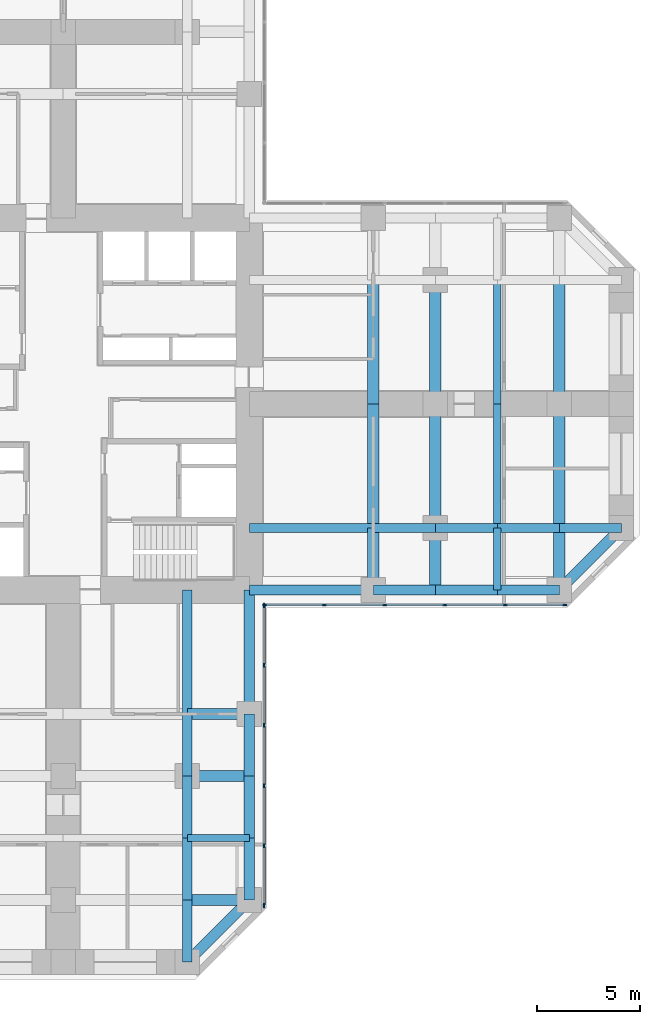
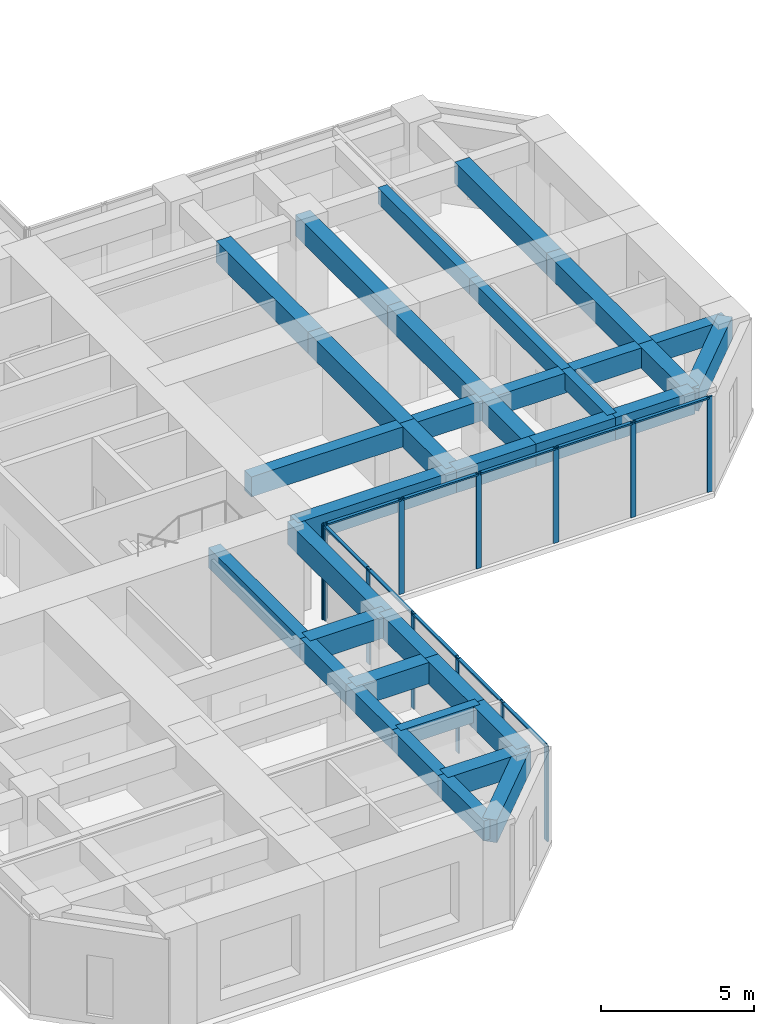
# One storey, part 4 of 13: 36 beams, 22 members, 2 elements without a shape of their own.
"""IFC4 building model written with IfcOpenShell, lengths in metres."""

from ifc_helpers import new_model, si_unit, direction, frame, origin, origin_2d, place, context, subcontext, project, spatial, rectangle, extrude, material, material_profile, profile_set, type_object, element, aggregate, save


model = new_model("IFC4")

# Units and contexts
model_context = context("Model", 3, precision=1e-05, world=origin(), true_north=direction((0.0, 1.0)))
body_context = subcontext(model_context, "Body", "Model", "MODEL_VIEW")
ifc_project = project(units=[si_unit("LENGTHUNIT", "METRE"), si_unit("AREAUNIT", "SQUARE_METRE"), si_unit("VOLUMEUNIT", "CUBIC_METRE"), si_unit("PLANEANGLEUNIT", "RADIAN"), si_unit("MASSUNIT", "GRAM", prefix="KILO")], contexts=[model_context])

# Site, building, storey
site_placement = place(None, origin())
site = spatial("IfcSite", under=ifc_project, at=site_placement, CompositionType="ELEMENT")
building_placement = place(site_placement, origin())
building = spatial("IfcBuilding", under=site, at=building_placement, Name="Torre Cruceta", CompositionType="ELEMENT")
storey_placement = place(building_placement, frame((0.0, 0.0, 51.5)))
storey = spatial("IfcBuildingStorey", under=building, at=storey_placement, Name="L12", CompositionType="ELEMENT", Elevation=51.5)

# Beams
ifc_material_1 = material(Name="Concrete G60 (fck 60 MPa)", Category="concrete")
ifc_material_profile_1 = material_profile(ifc_material_1, rectangle(XDim=0.449951171875, YDim=0.800048828125, at=origin_2d()), Name="RC 450X800")
ifc_profile_set_1 = profile_set([ifc_material_profile_1], Name="Concrete G60 (fck 60 MPa)")
beam_type_1 = type_object("IfcBeamType", Name="COLUMN LINE BEAM RC 450X800", PredefinedType="BEAM", material=ifc_profile_set_1)
beam_1_placement = place(storey_placement, frame((9.0, -6.0, 3.39990234375), z_axis=(1.0, 0.0, 0.0), x_axis=(0.0, 1.0, 0.0)))
element("IfcBeam", 1, at=beam_1_placement, inside=storey, type_object=beam_type_1, Name="LB1 L12 E col- 1", PredefinedType="BEAM", context=body_context, shape_type="SweptSolid", body=[
    extrude(rectangle(XDim=0.449951171875, YDim=0.800048828125, at=origin_2d()), origin(), (0.0, 0.0, 1.0), 6.0),
])
for number, where, z_axis, x_axis, name in (
    (2, (15.0, -6.0, 3.39990234375), (1.0, 0.0, 0.0), (0.0, 1.0, 0.0), "LB1 L12 E col- 2"),
    (3, (18.0, -6.0, 3.39990234375), (1.0, 0.0, 0.0), (0.0, 1.0, 0.0), "LB1 L12 E col- 3"),
    (4, (21.0, -6.0, 3.39990234375), (1.0, 0.0, 0.0), (0.0, 1.0, 0.0), "LB1 L12 E col- 4"),
    (5, (24.0, -6.0, 3.39990234375), (1.0, 0.0, 0.0), (0.0, 1.0, 0.0), "LB1 L12 E col- 5"),
):
    element("IfcBeam", number, at=place(storey_placement, frame(where, z_axis=z_axis, x_axis=x_axis)), inside=storey, type_object=beam_type_1, Name=name, PredefinedType="BEAM", context=body_context, shape_type="SweptSolid", body=[
        extrude(rectangle(XDim=0.449951171875, YDim=0.800048828125, at=origin_2d()), origin(), (0.0, 0.0, 1.0), 3.0),
    ])
beam_2_placement = place(storey_placement, frame((6.0, -9.0, 3.39990234375), z_axis=(0.0, -1.0, 0.0), x_axis=(1.0, 0.0, 0.0)))
element("IfcBeam", 6, at=beam_2_placement, inside=storey, type_object=beam_type_1, Name="LB1 L12 S col+ 1", PredefinedType="BEAM", context=body_context, shape_type="SweptSolid", body=[
    extrude(rectangle(XDim=0.449951171875, YDim=0.800048828125, at=origin_2d()), origin(), (0.0, 0.0, 1.0), 6.0),
])
for number, where, z_axis, x_axis, name in (
    (7, (6.0, -15.0, 3.39990234375), (0.0, -1.0, 0.0), (1.0, 0.0, 0.0), "LB1 L12 S col+ 2"),
    (8, (6.0, -18.0, 3.39990234375), (0.0, -1.0, 0.0), (1.0, 0.0, 0.0), "LB1 L12 S col+ 3"),
    (9, (6.0, -21.0, 3.39990234375), (0.0, -1.0, 0.0), (1.0, 0.0, 0.0), "LB1 L12 S col+ 4"),
    (10, (6.0, -24.0, 3.39990234375), (0.0, -1.0, 0.0), (1.0, 0.0, 0.0), "LB1 L12 S col+ 5"),
):
    element("IfcBeam", number, at=place(storey_placement, frame(where, z_axis=z_axis, x_axis=x_axis)), inside=storey, type_object=beam_type_1, Name=name, PredefinedType="BEAM", context=body_context, shape_type="SweptSolid", body=[
        extrude(rectangle(XDim=0.449951171875, YDim=0.800048828125, at=origin_2d()), origin(), (0.0, 0.0, 1.0), 3.0),
    ])
ifc_material_2 = material(Name="Concrete G60 (fck 60 MPa)", Category="concrete")
ifc_material_profile_2 = material_profile(ifc_material_2, rectangle(XDim=0.550048828125, YDim=0.85009765625, at=origin_2d()), Name="RC 550X850")
ifc_profile_set_2 = profile_set([ifc_material_profile_2], Name="Concrete G60 (fck 60 MPa)")
beam_type_2 = type_object("IfcBeamType", Name="CROSS BEAM RC 550X850", PredefinedType="BEAM", material=ifc_profile_set_2)
beam_3_placement = place(storey_placement, frame((15.0, -9.0, 3.375), z_axis=(0.0, 1.0, 0.0), x_axis=(-1.0, 0.0, 0.0)))
element("IfcBeam", 11, at=beam_3_placement, inside=storey, type_object=beam_type_2, Name="GB4 L12 E cross15 1", PredefinedType="BEAM", context=body_context, shape_type="SweptSolid", body=[
    extrude(rectangle(XDim=0.550048828125, YDim=0.85009765625, at=origin_2d()), origin(), (0.0, 0.0, 1.0), 3.0),
])
for number, where, z_axis, x_axis, name in (
    (12, (15.0, -6.0, 3.375), (0.0, 1.0, 0.0), (-1.0, 0.0, 0.0), "GB4 L12 E cross15 2"),
    (13, (15.0, 0.0, 3.375), (0.0, 1.0, 0.0), (-1.0, 0.0, 0.0), "GB4 L12 E cross15 3"),
):
    element("IfcBeam", number, at=place(storey_placement, frame(where, z_axis=z_axis, x_axis=x_axis)), inside=storey, type_object=beam_type_2, Name=name, PredefinedType="BEAM", context=body_context, shape_type="SweptSolid", body=[
        extrude(rectangle(XDim=0.550048828125, YDim=0.85009765625, at=origin_2d()), origin(), (0.0, 0.0, 1.0), 6.0),
    ])
beam_4_placement = place(storey_placement, frame((18.0, -9.0, 3.375), z_axis=(0.0, 1.0, 0.0), x_axis=(-1.0, 0.0, 0.0)))
element("IfcBeam", 14, at=beam_4_placement, inside=storey, type_object=beam_type_2, Name="GB4 L12 E cross18 1", PredefinedType="BEAM", context=body_context, shape_type="SweptSolid", body=[
    extrude(rectangle(XDim=0.550048828125, YDim=0.85009765625, at=origin_2d()), origin(), (0.0, 0.0, 1.0), 3.0),
])
for number, where, z_axis, x_axis, name in (
    (15, (18.0, -6.0, 3.375), (0.0, 1.0, 0.0), (-1.0, 0.0, 0.0), "GB4 L12 E cross18 2"),
    (16, (18.0, 0.0, 3.375), (0.0, 1.0, 0.0), (-1.0, 0.0, 0.0), "GB4 L12 E cross18 3"),
):
    element("IfcBeam", number, at=place(storey_placement, frame(where, z_axis=z_axis, x_axis=x_axis)), inside=storey, type_object=beam_type_2, Name=name, PredefinedType="BEAM", context=body_context, shape_type="SweptSolid", body=[
        extrude(rectangle(XDim=0.550048828125, YDim=0.85009765625, at=origin_2d()), origin(), (0.0, 0.0, 1.0), 6.0),
    ])
beam_5_placement = place(storey_placement, frame((24.0, -9.0, 3.375), z_axis=(0.0, 1.0, 0.0), x_axis=(-1.0, 0.0, 0.0)))
element("IfcBeam", 17, at=beam_5_placement, inside=storey, type_object=beam_type_2, Name="GB4 L12 E cross24 1", PredefinedType="BEAM", context=body_context, shape_type="SweptSolid", body=[
    extrude(rectangle(XDim=0.550048828125, YDim=0.85009765625, at=origin_2d()), origin(), (0.0, 0.0, 1.0), 3.0),
])
for number, where, z_axis, x_axis, name in (
    (18, (24.0, -6.0, 3.375), (0.0, 1.0, 0.0), (-1.0, 0.0, 0.0), "GB4 L12 E cross24 2"),
    (19, (24.0, 0.0, 3.375), (0.0, 1.0, 0.0), (-1.0, 0.0, 0.0), "GB4 L12 E cross24 3"),
):
    element("IfcBeam", number, at=place(storey_placement, frame(where, z_axis=z_axis, x_axis=x_axis)), inside=storey, type_object=beam_type_2, Name=name, PredefinedType="BEAM", context=body_context, shape_type="SweptSolid", body=[
        extrude(rectangle(XDim=0.550048828125, YDim=0.85009765625, at=origin_2d()), origin(), (0.0, 0.0, 1.0), 6.0),
    ])
for number, where, z_axis, x_axis, name in (
    (20, (6.0, -15.0, 3.375), (1.0, 0.0, 0.0), (0.0, 1.0, 0.0), "GB4 L12 S cross15 4"),
    (21, (6.0, -18.0, 3.375), (1.0, 0.0, 0.0), (0.0, 1.0, 0.0), "GB4 L12 S cross18 4"),
    (22, (6.0, -24.0, 3.375), (1.0, 0.0, 0.0), (0.0, 1.0, 0.0), "GB4 L12 S cross24 4"),
):
    element("IfcBeam", number, at=place(storey_placement, frame(where, z_axis=z_axis, x_axis=x_axis)), inside=storey, type_object=beam_type_2, Name=name, PredefinedType="BEAM", context=body_context, shape_type="SweptSolid", body=[
        extrude(rectangle(XDim=0.550048828125, YDim=0.85009765625, at=origin_2d()), origin(), (0.0, 0.0, 1.0), 3.0),
    ])

# Curtain wall, members
ifc_material_3 = material(Name="Aluminium unitised curtain wall", Category="aluminium")
curtain_wall_type = type_object("IfcCurtainWallType", Name="CURTAIN WALL CW-A OFFICE LOW RISE", PredefinedType="USERDEFINED", material=ifc_material_3)
curtain_wall_1_placement = place(storey_placement, origin())
curtain_wall_1 = element("IfcCurtainWall", 23, at=curtain_wall_1_placement, inside=storey, type_object=curtain_wall_type, Name="CW-A L12 E side 00", ObjectType="UNITISED", PredefinedType="USERDEFINED")
ifc_material_4 = material(Name="Aluminium mullion", Category="aluminium")
ifc_material_profile_3 = material_profile(ifc_material_4, rectangle(XDim=0.06494140625, YDim=0.199951171875, at=origin_2d()), Name="AL 65X200")
ifc_profile_set_3 = profile_set([ifc_material_profile_3], Name="Aluminium mullion")
member_type_1 = type_object("IfcMemberType", Name="CW-A MULLION 65X200", PredefinedType="MULLION", material=ifc_profile_set_3)
member_1_placement = place(storey_placement, frame((9.75244140625, -9.719970703125, 0.0), z_axis=(0.0, 0.0, 1.0), x_axis=(0.0, 1.0, 0.0)))
member_1 = element("IfcMember", 24, at=member_1_placement, type_object=member_type_1, Name="CW-A mullion 1", PredefinedType="MULLION", context=body_context, shape_type="SweptSolid", body=[
    extrude(rectangle(XDim=0.06494140625, YDim=0.199951171875, at=origin_2d()), origin(), (0.0, 0.0, 1.0), 3.800048828125),
])
member_2_placement = place(storey_placement, frame((12.6357421875, -9.719970703125, 0.0), z_axis=(0.0, 0.0, 1.0), x_axis=(0.0, 1.0, 0.0)))
member_2 = element("IfcMember", 25, at=member_2_placement, type_object=member_type_1, Name="CW-A mullion 2", PredefinedType="MULLION", context=body_context, shape_type="SweptSolid", body=[
    extrude(rectangle(XDim=0.06494140625, YDim=0.199951171875, at=origin_2d()), origin(), (0.0, 0.0, 1.0), 3.800048828125),
])
member_3_placement = place(storey_placement, frame((15.55126953125, -9.719970703125, 0.0), z_axis=(0.0, 0.0, 1.0), x_axis=(0.0, 1.0, 0.0)))
member_3 = element("IfcMember", 26, at=member_3_placement, type_object=member_type_1, Name="CW-A mullion 3", PredefinedType="MULLION", context=body_context, shape_type="SweptSolid", body=[
    extrude(rectangle(XDim=0.06494140625, YDim=0.199951171875, at=origin_2d()), origin(), (0.0, 0.0, 1.0), 3.800048828125),
])
member_4_placement = place(storey_placement, frame((18.467041015625, -9.719970703125, 0.0), z_axis=(0.0, 0.0, 1.0), x_axis=(0.0, 1.0, 0.0)))
member_4 = element("IfcMember", 27, at=member_4_placement, type_object=member_type_1, Name="CW-A mullion 4", PredefinedType="MULLION", context=body_context, shape_type="SweptSolid", body=[
    extrude(rectangle(XDim=0.06494140625, YDim=0.199951171875, at=origin_2d()), origin(), (0.0, 0.0, 1.0), 3.800048828125),
])
member_5_placement = place(storey_placement, frame((21.382568359375, -9.719970703125, 0.0), z_axis=(0.0, 0.0, 1.0), x_axis=(0.0, 1.0, 0.0)))
member_5 = element("IfcMember", 28, at=member_5_placement, type_object=member_type_1, Name="CW-A mullion 5", PredefinedType="MULLION", context=body_context, shape_type="SweptSolid", body=[
    extrude(rectangle(XDim=0.06494140625, YDim=0.199951171875, at=origin_2d()), origin(), (0.0, 0.0, 1.0), 3.800048828125),
])
member_6_placement = place(storey_placement, frame((24.265625, -9.719970703125, 0.0), z_axis=(0.0, 0.0, 1.0), x_axis=(0.0, 1.0, 0.0)))
member_6 = element("IfcMember", 29, at=member_6_placement, type_object=member_type_1, Name="CW-A mullion 6", PredefinedType="MULLION", context=body_context, shape_type="SweptSolid", body=[
    extrude(rectangle(XDim=0.06494140625, YDim=0.199951171875, at=origin_2d()), origin(), (0.0, 0.0, 1.0), 3.800048828125),
])

curtain_wall_2_placement = place(storey_placement, origin())
curtain_wall_2 = element("IfcCurtainWall", 30, at=curtain_wall_2_placement, inside=storey, type_object=curtain_wall_type, Name="CW-A L12 S side 19", ObjectType="UNITISED", PredefinedType="USERDEFINED")
member_7_placement = place(storey_placement, frame((9.719970703125, -24.265625, 0.0), z_axis=(0.0, 0.0, 1.0), x_axis=(-1.0, 0.0, 0.0)))
member_7 = element("IfcMember", 31, at=member_7_placement, type_object=member_type_1, Name="CW-A mullion 1", PredefinedType="MULLION", context=body_context, shape_type="SweptSolid", body=[
    extrude(rectangle(XDim=0.06494140625, YDim=0.199951171875, at=origin_2d()), origin(), (0.0, 0.0, 1.0), 3.800048828125),
])
member_8_placement = place(storey_placement, frame((9.719970703125, -21.382568359375, 0.0), z_axis=(0.0, 0.0, 1.0), x_axis=(-1.0, 0.0, 0.0)))
member_8 = element("IfcMember", 32, at=member_8_placement, type_object=member_type_1, Name="CW-A mullion 2", PredefinedType="MULLION", context=body_context, shape_type="SweptSolid", body=[
    extrude(rectangle(XDim=0.06494140625, YDim=0.199951171875, at=origin_2d()), origin(), (0.0, 0.0, 1.0), 3.800048828125),
])
member_9_placement = place(storey_placement, frame((9.719970703125, -18.467041015625, 0.0), z_axis=(0.0, 0.0, 1.0), x_axis=(-1.0, 0.0, 0.0)))
member_9 = element("IfcMember", 33, at=member_9_placement, type_object=member_type_1, Name="CW-A mullion 3", PredefinedType="MULLION", context=body_context, shape_type="SweptSolid", body=[
    extrude(rectangle(XDim=0.06494140625, YDim=0.199951171875, at=origin_2d()), origin(), (0.0, 0.0, 1.0), 3.800048828125),
])
member_10_placement = place(storey_placement, frame((9.719970703125, -15.55126953125, 0.0), z_axis=(0.0, 0.0, 1.0), x_axis=(-1.0, 0.0, 0.0)))
member_10 = element("IfcMember", 34, at=member_10_placement, type_object=member_type_1, Name="CW-A mullion 4", PredefinedType="MULLION", context=body_context, shape_type="SweptSolid", body=[
    extrude(rectangle(XDim=0.06494140625, YDim=0.199951171875, at=origin_2d()), origin(), (0.0, 0.0, 1.0), 3.800048828125),
])
member_11_placement = place(storey_placement, frame((9.719970703125, -12.6357421875, 0.0), z_axis=(0.0, 0.0, 1.0), x_axis=(-1.0, 0.0, 0.0)))
member_11 = element("IfcMember", 35, at=member_11_placement, type_object=member_type_1, Name="CW-A mullion 5", PredefinedType="MULLION", context=body_context, shape_type="SweptSolid", body=[
    extrude(rectangle(XDim=0.06494140625, YDim=0.199951171875, at=origin_2d()), origin(), (0.0, 0.0, 1.0), 3.800048828125),
])
member_12_placement = place(storey_placement, frame((9.719970703125, -9.75244140625, 0.0), z_axis=(0.0, 0.0, 1.0), x_axis=(-1.0, 0.0, 0.0)))
member_12 = element("IfcMember", 36, at=member_12_placement, type_object=member_type_1, Name="CW-A mullion 6", PredefinedType="MULLION", context=body_context, shape_type="SweptSolid", body=[
    extrude(rectangle(XDim=0.06494140625, YDim=0.199951171875, at=origin_2d()), origin(), (0.0, 0.0, 1.0), 3.800048828125),
])

# Member
ifc_material_5 = material(Name="Aluminium transom", Category="aluminium")
ifc_material_profile_4 = material_profile(ifc_material_5, rectangle(XDim=0.1201171875, YDim=0.06494140625, at=origin_2d()), Name="AL 120X65")
ifc_profile_set_4 = profile_set([ifc_material_profile_4], Name="Aluminium transom")
member_type_2 = type_object("IfcMemberType", Name="CW-A TRANSOM 65X120", PredefinedType="USERDEFINED", material=ifc_profile_set_4)
member_13_placement = place(storey_placement, frame((9.784912109375, -9.719970703125, 3.767578125), z_axis=(1.0, 0.0, 0.0), x_axis=(0.0, 1.0, 0.0)))
member_13 = element("IfcMember", 37, at=member_13_placement, type_object=member_type_2, Name="CW-A transom 1", ObjectType="TRANSOM", PredefinedType="USERDEFINED", context=body_context, shape_type="SweptSolid", body=[
    extrude(rectangle(XDim=0.1201171875, YDim=0.06494140625, at=origin_2d()), origin(), (0.0, 0.0, 1.0), 2.818115234375),
])

member_14_placement = place(storey_placement, frame((12.668212890625, -9.719970703125, 3.767578125), z_axis=(1.0, 0.0, 0.0), x_axis=(0.0, 1.0, 0.0)))
member_14 = element("IfcMember", 38, at=member_14_placement, type_object=member_type_2, Name="CW-A transom 2", ObjectType="TRANSOM", PredefinedType="USERDEFINED", context=body_context, shape_type="SweptSolid", body=[
    extrude(rectangle(XDim=0.1201171875, YDim=0.06494140625, at=origin_2d()), origin(), (0.0, 0.0, 1.0), 2.8505859375),
])

member_15_placement = place(storey_placement, frame((15.583740234375, -9.719970703125, 3.767578125), z_axis=(1.0, 0.0, 0.0), x_axis=(0.0, 1.0, 0.0)))
member_15 = element("IfcMember", 39, at=member_15_placement, type_object=member_type_2, Name="CW-A transom 3", ObjectType="TRANSOM", PredefinedType="USERDEFINED", context=body_context, shape_type="SweptSolid", body=[
    extrude(rectangle(XDim=0.1201171875, YDim=0.06494140625, at=origin_2d()), origin(), (0.0, 0.0, 1.0), 2.8505859375),
])

member_16_placement = place(storey_placement, frame((18.49951171875, -9.719970703125, 3.767578125), z_axis=(1.0, 0.0, 0.0), x_axis=(0.0, 1.0, 0.0)))
member_16 = element("IfcMember", 40, at=member_16_placement, type_object=member_type_2, Name="CW-A transom 4", ObjectType="TRANSOM", PredefinedType="USERDEFINED", context=body_context, shape_type="SweptSolid", body=[
    extrude(rectangle(XDim=0.1201171875, YDim=0.06494140625, at=origin_2d()), origin(), (0.0, 0.0, 1.0), 2.8505859375),
])

member_17_placement = place(storey_placement, frame((21.4150390625, -9.719970703125, 3.767578125), z_axis=(1.0, 0.0, 0.0), x_axis=(0.0, 1.0, 0.0)))
member_17 = element("IfcMember", 41, at=member_17_placement, type_object=member_type_2, Name="CW-A transom 5", ObjectType="TRANSOM", PredefinedType="USERDEFINED", context=body_context, shape_type="SweptSolid", body=[
    extrude(rectangle(XDim=0.1201171875, YDim=0.06494140625, at=origin_2d()), origin(), (0.0, 0.0, 1.0), 2.818115234375),
])

aggregate(curtain_wall_1, [member_1, member_2, member_3, member_4, member_5, member_6, member_13, member_14, member_15, member_16, member_17])

member_18_placement = place(storey_placement, frame((9.719970703125, -24.233154296875, 3.767578125), z_axis=(0.0, 1.0, 0.0), x_axis=(-1.0, 0.0, 0.0)))
member_18 = element("IfcMember", 42, at=member_18_placement, type_object=member_type_2, Name="CW-A transom 1", ObjectType="TRANSOM", PredefinedType="USERDEFINED", context=body_context, shape_type="SweptSolid", body=[
    extrude(rectangle(XDim=0.1201171875, YDim=0.06494140625, at=origin_2d()), origin(), (0.0, 0.0, 1.0), 2.818115234375),
])

member_19_placement = place(storey_placement, frame((9.719970703125, -21.35009765625, 3.767578125), z_axis=(0.0, 1.0, 0.0), x_axis=(-1.0, 0.0, 0.0)))
member_19 = element("IfcMember", 43, at=member_19_placement, type_object=member_type_2, Name="CW-A transom 2", ObjectType="TRANSOM", PredefinedType="USERDEFINED", context=body_context, shape_type="SweptSolid", body=[
    extrude(rectangle(XDim=0.1201171875, YDim=0.06494140625, at=origin_2d()), origin(), (0.0, 0.0, 1.0), 2.8505859375),
])

member_20_placement = place(storey_placement, frame((9.719970703125, -18.434326171875, 3.767578125), z_axis=(0.0, 1.0, 0.0), x_axis=(-1.0, 0.0, 0.0)))
member_20 = element("IfcMember", 44, at=member_20_placement, type_object=member_type_2, Name="CW-A transom 3", ObjectType="TRANSOM", PredefinedType="USERDEFINED", context=body_context, shape_type="SweptSolid", body=[
    extrude(rectangle(XDim=0.1201171875, YDim=0.06494140625, at=origin_2d()), origin(), (0.0, 0.0, 1.0), 2.8505859375),
])

member_21_placement = place(storey_placement, frame((9.719970703125, -15.518798828125, 3.767578125), z_axis=(0.0, 1.0, 0.0), x_axis=(-1.0, 0.0, 0.0)))
member_21 = element("IfcMember", 45, at=member_21_placement, type_object=member_type_2, Name="CW-A transom 4", ObjectType="TRANSOM", PredefinedType="USERDEFINED", context=body_context, shape_type="SweptSolid", body=[
    extrude(rectangle(XDim=0.1201171875, YDim=0.06494140625, at=origin_2d()), origin(), (0.0, 0.0, 1.0), 2.8505859375),
])

member_22_placement = place(storey_placement, frame((9.719970703125, -12.60302734375, 3.767578125), z_axis=(0.0, 1.0, 0.0), x_axis=(-1.0, 0.0, 0.0)))
member_22 = element("IfcMember", 46, at=member_22_placement, type_object=member_type_2, Name="CW-A transom 5", ObjectType="TRANSOM", PredefinedType="USERDEFINED", context=body_context, shape_type="SweptSolid", body=[
    extrude(rectangle(XDim=0.1201171875, YDim=0.06494140625, at=origin_2d()), origin(), (0.0, 0.0, 1.0), 2.818115234375),
])

aggregate(curtain_wall_2, [member_7, member_8, member_9, member_10, member_11, member_12, member_18, member_19, member_20, member_21, member_22])

# Beams
ifc_material_6 = material(Name="Concrete G60 (fck 60 MPa)", Category="concrete")
ifc_material_profile_5 = material_profile(ifc_material_6, rectangle(XDim=0.35009765625, YDim=0.64990234375, at=origin_2d()), Name="RC 350X650")
ifc_profile_set_5 = profile_set([ifc_material_profile_5], Name="Concrete G60 (fck 60 MPa)")
beam_type_3 = type_object("IfcBeamType", Name="SECONDARY BEAM RC 350X650", PredefinedType="JOIST", material=ifc_profile_set_5)
beam_6_placement = place(storey_placement, frame((21.0, -9.0, 3.47509765625), z_axis=(0.0, 1.0, 0.0), x_axis=(-1.0, 0.0, 0.0)))
element("IfcBeam", 47, at=beam_6_placement, inside=storey, type_object=beam_type_3, Name="JB3 L12 E sec21 1", PredefinedType="JOIST", context=body_context, shape_type="SweptSolid", body=[
    extrude(rectangle(XDim=0.35009765625, YDim=0.64990234375, at=origin_2d()), origin(), (0.0, 0.0, 1.0), 3.0),
])
for number, where, z_axis, x_axis, name in (
    (48, (21.0, -6.0, 3.47509765625), (0.0, 1.0, 0.0), (-1.0, 0.0, 0.0), "JB3 L12 E sec21 2"),
    (49, (21.0, 0.0, 3.47509765625), (0.0, 1.0, 0.0), (-1.0, 0.0, 0.0), "JB3 L12 E sec21 3"),
):
    element("IfcBeam", number, at=place(storey_placement, frame(where, z_axis=z_axis, x_axis=x_axis)), inside=storey, type_object=beam_type_3, Name=name, PredefinedType="JOIST", context=body_context, shape_type="SweptSolid", body=[
        extrude(rectangle(XDim=0.35009765625, YDim=0.64990234375, at=origin_2d()), origin(), (0.0, 0.0, 1.0), 6.0),
    ])
beam_7_placement = place(storey_placement, frame((6.0, -21.0, 3.47509765625), z_axis=(1.0, 0.0, 0.0), x_axis=(0.0, 1.0, 0.0)))
element("IfcBeam", 50, at=beam_7_placement, inside=storey, type_object=beam_type_3, Name="JB3 L12 S sec21 4", PredefinedType="JOIST", context=body_context, shape_type="SweptSolid", body=[
    extrude(rectangle(XDim=0.35009765625, YDim=0.64990234375, at=origin_2d()), origin(), (0.0, 0.0, 1.0), 3.0),
])
ifc_material_7 = material(Name="Concrete G60 (fck 60 MPa)", Category="concrete")
ifc_material_profile_6 = material_profile(ifc_material_7, rectangle(XDim=0.5, YDim=0.89990234375, at=origin_2d()), Name="RC 500X900")
ifc_profile_set_6 = profile_set([ifc_material_profile_6], Name="Concrete G60 (fck 60 MPa)")
beam_type_4 = type_object("IfcBeamType", Name="SPANDREL BEAM RC 500X900", PredefinedType="SPANDREL", material=ifc_profile_set_6)
beam_8_placement = place(storey_placement, frame((9.0, -9.0, 3.35009765625), z_axis=(1.0, 0.0, 0.0), x_axis=(0.0, 1.0, 0.0)))
element("IfcBeam", 51, at=beam_8_placement, inside=storey, type_object=beam_type_4, Name="SB4 L12 E side- 1", PredefinedType="SPANDREL", context=body_context, shape_type="SweptSolid", body=[
    extrude(rectangle(XDim=0.5, YDim=0.89990234375, at=origin_2d()), origin(), (0.0, 0.0, 1.0), 6.0),
])
for number, where, z_axis, x_axis, name in (
    (52, (15.0, -9.0, 3.35009765625), (1.0, 0.0, 0.0), (0.0, 1.0, 0.0), "SB4 L12 E side- 2"),
    (53, (18.0, -9.0, 3.35009765625), (1.0, 0.0, 0.0), (0.0, 1.0, 0.0), "SB4 L12 E side- 3"),
    (54, (21.0, -9.0, 3.35009765625), (1.0, 0.0, 0.0), (0.0, 1.0, 0.0), "SB4 L12 E side- 4"),
):
    element("IfcBeam", number, at=place(storey_placement, frame(where, z_axis=z_axis, x_axis=x_axis)), inside=storey, type_object=beam_type_4, Name=name, PredefinedType="SPANDREL", context=body_context, shape_type="SweptSolid", body=[
        extrude(rectangle(XDim=0.5, YDim=0.89990234375, at=origin_2d()), origin(), (0.0, 0.0, 1.0), 3.0),
    ])
beam_9_placement = place(storey_placement, frame((24.0, -9.0, 3.35009765625), z_axis=(0.707106781187, 0.707106781187, 0.0), x_axis=(-0.707106781187, 0.707106781187, 0.0)))
element("IfcBeam", 55, at=beam_9_placement, inside=storey, type_object=beam_type_4, Name="SB4 L12 E side- 5", PredefinedType="SPANDREL", context=body_context, shape_type="SweptSolid", body=[
    extrude(rectangle(XDim=0.5, YDim=0.89990234375, at=origin_2d()), origin(), (0.0, 0.0, 1.0), 4.24267578125),
])
beam_10_placement = place(storey_placement, frame((9.0, -9.0, 3.35009765625), z_axis=(0.0, -1.0, 0.0), x_axis=(1.0, 0.0, 0.0)))
element("IfcBeam", 56, at=beam_10_placement, inside=storey, type_object=beam_type_4, Name="SB4 L12 S side+ 1", PredefinedType="SPANDREL", context=body_context, shape_type="SweptSolid", body=[
    extrude(rectangle(XDim=0.5, YDim=0.89990234375, at=origin_2d()), origin(), (0.0, 0.0, 1.0), 6.0),
])
for number, where, z_axis, x_axis, name in (
    (57, (9.0, -15.0, 3.35009765625), (0.0, -1.0, 0.0), (1.0, 0.0, 0.0), "SB4 L12 S side+ 2"),
    (58, (9.0, -18.0, 3.35009765625), (0.0, -1.0, 0.0), (1.0, 0.0, 0.0), "SB4 L12 S side+ 3"),
    (59, (9.0, -21.0, 3.35009765625), (0.0, -1.0, 0.0), (1.0, 0.0, 0.0), "SB4 L12 S side+ 4"),
):
    element("IfcBeam", number, at=place(storey_placement, frame(where, z_axis=z_axis, x_axis=x_axis)), inside=storey, type_object=beam_type_4, Name=name, PredefinedType="SPANDREL", context=body_context, shape_type="SweptSolid", body=[
        extrude(rectangle(XDim=0.5, YDim=0.89990234375, at=origin_2d()), origin(), (0.0, 0.0, 1.0), 3.0),
    ])
beam_11_placement = place(storey_placement, frame((9.0, -24.0, 3.35009765625), z_axis=(-0.707106781187, -0.707106781187, 0.0), x_axis=(0.707106781187, -0.707106781187, 0.0)))
element("IfcBeam", 60, at=beam_11_placement, inside=storey, type_object=beam_type_4, Name="SB4 L12 S side+ 5", PredefinedType="SPANDREL", context=body_context, shape_type="SweptSolid", body=[
    extrude(rectangle(XDim=0.5, YDim=0.89990234375, at=origin_2d()), origin(), (0.0, 0.0, 1.0), 4.24267578125),
])

save(model, "model.ifc")
